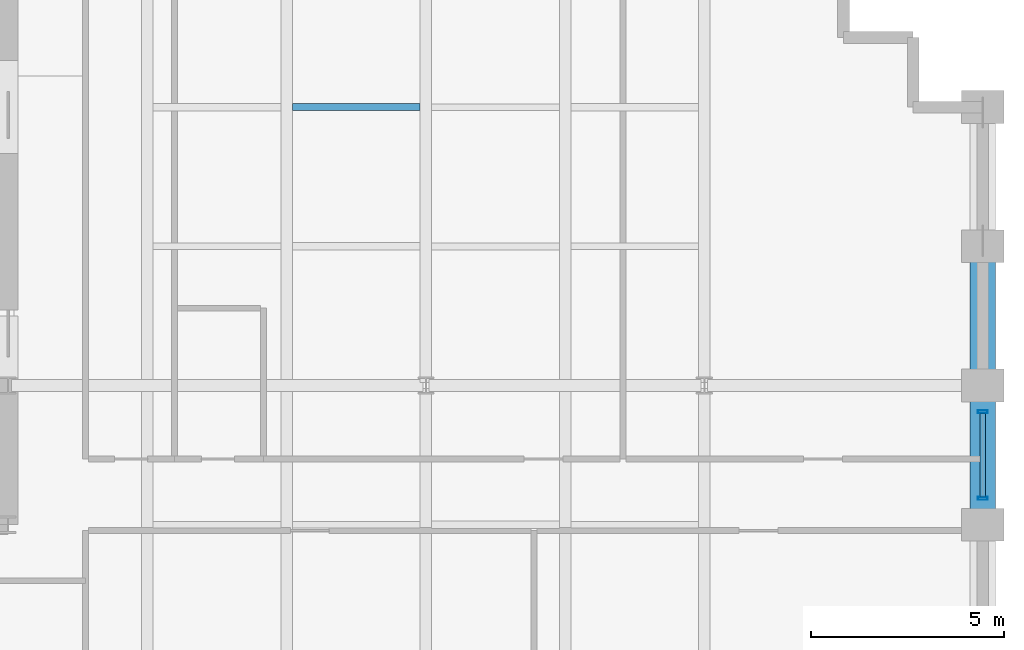
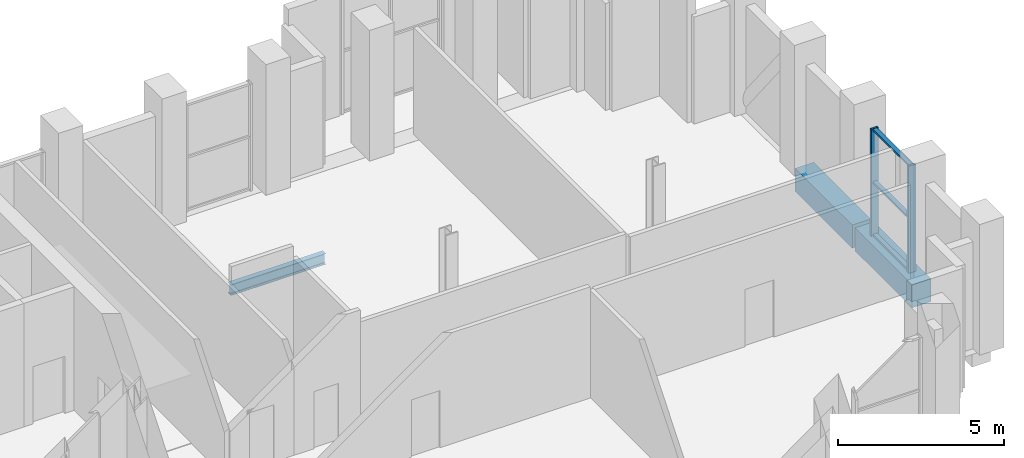
# One storey, part 11 of 22: 5 members, 3 beams, 1 element without a shape of its own.
"""IFC4 building model written with IfcOpenShell, lengths in metres."""

from ifc_helpers import new_model, si_unit, direction, frame, origin, origin_2d, place, context, subcontext, project, spatial, rectangle, hollow_rectangle, i_section, extrude, material, layer, layer_set, material_profile, profile_set, type_object, element, aggregate, save


model = new_model("IFC4")

# Units and contexts
model_context = context("Model", 3, precision=1e-05, world=origin(), true_north=direction((0.0, 1.0)))
body_context = subcontext(model_context, "Body", "Model", "MODEL_VIEW")
ifc_project = project(units=[si_unit("LENGTHUNIT", "METRE"), si_unit("AREAUNIT", "SQUARE_METRE"), si_unit("VOLUMEUNIT", "CUBIC_METRE"), si_unit("PLANEANGLEUNIT", "RADIAN"), si_unit("MASSUNIT", "GRAM", prefix="KILO")], contexts=[model_context])

# Site, building, storey
site_placement = place(None, origin())
site = spatial("IfcSite", under=ifc_project, at=site_placement, CompositionType="ELEMENT")
building_placement = place(site_placement, origin())
building = spatial("IfcBuilding", under=site, at=building_placement, Name="Solnavia Interchange Tower", CompositionType="ELEMENT")
storey_placement = place(building_placement, frame((0.0, 0.0, 115.199951171875)))
storey = spatial("IfcBuildingStorey", under=building, at=storey_placement, Name="L28", CompositionType="ELEMENT", Elevation=115.199951171875)

# Beams
ifc_material_1 = material(Name="Steel S355", Category="steel")
ifc_material_profile_1 = material_profile(ifc_material_1, i_section(OverallWidth=0.179931640625, OverallDepth=0.39990234375, WebThickness=0.008544921875, FlangeThickness=0.013427734375, FilletRadius=0.02099609375, at=origin_2d()), Name="IPE 400")
ifc_profile_set_1 = profile_set([ifc_material_profile_1], Name="Steel S355")
beam_type_1 = type_object("IfcBeamType", Name="Beam-Joist-IPE400", PredefinedType="JOIST", material=ifc_profile_set_1)
beam_1_placement = place(storey_placement, frame((39.75, 21.60009765625, -0.52001953125), z_axis=(1.0, 0.0, 0.0), x_axis=(0.0, 1.0, 0.0)))
element("IfcBeam", 1, at=beam_1_placement, inside=storey, type_object=beam_type_1, Name="JST-L28-E14 East wing secondary joist", PredefinedType="JOIST", context=body_context, shape_type="SweptSolid", body=[
    extrude(i_section(OverallWidth=0.179931640625, OverallDepth=0.39990234375, WebThickness=0.008544921875, FlangeThickness=0.013427734375, FilletRadius=0.02099609375, at=origin_2d()), origin(), (0.0, 0.0, 1.0), 3.300048828125),
])
ifc_material_2 = material(Name="Concrete C50/60", Category="concrete")
ifc_material_profile_2 = material_profile(ifc_material_2, rectangle(XDim=0.64990234375, YDim=0.85009765625, at=origin_2d()), Name="RC 650x850")
ifc_profile_set_2 = profile_set([ifc_material_profile_2], Name="Concrete C50/60")
beam_type_2 = type_object("IfcBeamType", Name="Beam-Spandrel-RC650x850", PredefinedType="SPANDREL", material=ifc_profile_set_2)
beam_2_placement = place(storey_placement, frame((57.60009765625, 10.8798828125, -0.425048828125), z_axis=(0.0, 1.0, 0.0), x_axis=(-1.0, 0.0, 0.0)))
element("IfcBeam", 2, at=beam_2_placement, inside=storey, type_object=beam_type_2, Name="SPB-L28-18 Framed-tube perimeter spandrel beam", PredefinedType="SPANDREL", context=body_context, shape_type="SweptSolid", body=[
    extrude(rectangle(XDim=0.64990234375, YDim=0.85009765625, at=origin_2d()), origin(), (0.0, 0.0, 1.0), 3.440185546875),
])
beam_3_placement = place(storey_placement, frame((57.60009765625, 14.47998046875, -0.425048828125), z_axis=(0.0, 1.0, 0.0), x_axis=(-1.0, 0.0, 0.0)))
element("IfcBeam", 3, at=beam_3_placement, inside=storey, type_object=beam_type_2, Name="SPB-L28-19 Framed-tube perimeter spandrel beam", PredefinedType="SPANDREL", context=body_context, shape_type="SweptSolid", body=[
    extrude(rectangle(XDim=0.64990234375, YDim=0.85009765625, at=origin_2d()), origin(), (0.0, 0.0, 1.0), 3.43994140625),
])

# Curtain wall, members
ifc_material_3 = material(Name="Aluminium Alloy 6063-T6", Category="aluminium")
ifc_layer = layer(ifc_material_3, 0.27001953125)
ifc_layer_set = layer_set([ifc_layer], Name="Aluminium Alloy 6063-T6")
curtain_wall_type = type_object("IfcCurtainWallType", Name="CurtainWall-SkyLobby-CTW4", PredefinedType="NOTDEFINED", material=ifc_layer_set)
curtain_wall_placement = place(storey_placement, origin())
curtain_wall = element("IfcCurtainWall", 4, at=curtain_wall_placement, inside=storey, type_object=curtain_wall_type, Name="CTW-L28-S14 CTW-4 curtain wall", PredefinedType="NOTDEFINED")
ifc_material_profile_3 = material_profile(ifc_material_3, hollow_rectangle(XDim=0.080078125, YDim=0.25, WallThickness=0.006103515625, at=origin_2d()), Name="ALU 250x80x6")
ifc_profile_set_3 = profile_set([ifc_material_profile_3], Name="Aluminium Alloy 6063-T6")
member_type_1 = type_object("IfcMemberType", Name="CW-Mullion-CWM-4", PredefinedType="MULLION", material=ifc_profile_set_3)
member_1_placement = place(storey_placement, frame((57.60009765625, 11.47998046875, 0.0), z_axis=(0.0, 0.0, 1.0), x_axis=(0.0, 1.0, 0.0)))
member_1 = element("IfcMember", 5, at=member_1_placement, type_object=member_type_1, Name="CTW-4 mullion 1", PredefinedType="MULLION", context=body_context, shape_type="SweptSolid", body=[
    extrude(hollow_rectangle(XDim=0.080078125, YDim=0.25, WallThickness=0.006103515625, at=origin_2d()), origin(), (0.0, 0.0, 1.0), 3.929931640625),
])
member_2_placement = place(storey_placement, frame((57.60009765625, 13.719970703125, 0.0), z_axis=(0.0, 0.0, 1.0), x_axis=(0.0, 1.0, 0.0)))
member_2 = element("IfcMember", 6, at=member_2_placement, type_object=member_type_1, Name="CTW-4 mullion 2", PredefinedType="MULLION", context=body_context, shape_type="SweptSolid", body=[
    extrude(hollow_rectangle(XDim=0.080078125, YDim=0.25, WallThickness=0.006103515625, at=origin_2d()), origin(), (0.0, 0.0, 1.0), 3.929931640625),
])
ifc_material_profile_4 = material_profile(ifc_material_3, hollow_rectangle(XDim=0.070068359375, YDim=0.14990234375, WallThickness=0.00439453125, at=origin_2d()), Name="ALU 150x70x4.5")
ifc_profile_set_4 = profile_set([ifc_material_profile_4], Name="Aluminium Alloy 6063-T6")
member_type_2 = type_object("IfcMemberType", Name="CW-Transom-CWT-4", PredefinedType="USERDEFINED", material=ifc_profile_set_4)
member_3_placement = place(storey_placement, frame((57.60009765625, 11.52001953125, 0.03515625), z_axis=(0.0, 1.0, 0.0), x_axis=(0.0, 0.0, 1.0)))
member_3 = element("IfcMember", 7, at=member_3_placement, type_object=member_type_2, Name="CTW-4 transom 1.1", ObjectType="TRANSOM", PredefinedType="USERDEFINED", context=body_context, shape_type="SweptSolid", body=[
    extrude(hollow_rectangle(XDim=0.070068359375, YDim=0.14990234375, WallThickness=0.00439453125, at=origin_2d()), origin(), (0.0, 0.0, 1.0), 2.159912109375),
])
member_4_placement = place(storey_placement, frame((57.60009765625, 11.52001953125, 1.965087890625), z_axis=(0.0, 1.0, 0.0), x_axis=(0.0, 0.0, 1.0)))
member_4 = element("IfcMember", 8, at=member_4_placement, type_object=member_type_2, Name="CTW-4 transom 1.2", ObjectType="TRANSOM", PredefinedType="USERDEFINED", context=body_context, shape_type="SweptSolid", body=[
    extrude(hollow_rectangle(XDim=0.070068359375, YDim=0.14990234375, WallThickness=0.00439453125, at=origin_2d()), origin(), (0.0, 0.0, 1.0), 2.159912109375),
])
member_5_placement = place(storey_placement, frame((57.60009765625, 11.52001953125, 3.89501953125), z_axis=(0.0, 1.0, 0.0), x_axis=(0.0, 0.0, 1.0)))
member_5 = element("IfcMember", 9, at=member_5_placement, type_object=member_type_2, Name="CTW-4 transom 1.3", ObjectType="TRANSOM", PredefinedType="USERDEFINED", context=body_context, shape_type="SweptSolid", body=[
    extrude(hollow_rectangle(XDim=0.070068359375, YDim=0.14990234375, WallThickness=0.00439453125, at=origin_2d()), origin(), (0.0, 0.0, 1.0), 2.159912109375),
])
aggregate(curtain_wall, [member_1, member_2, member_3, member_4, member_5])

save(model, "model.ifc")
